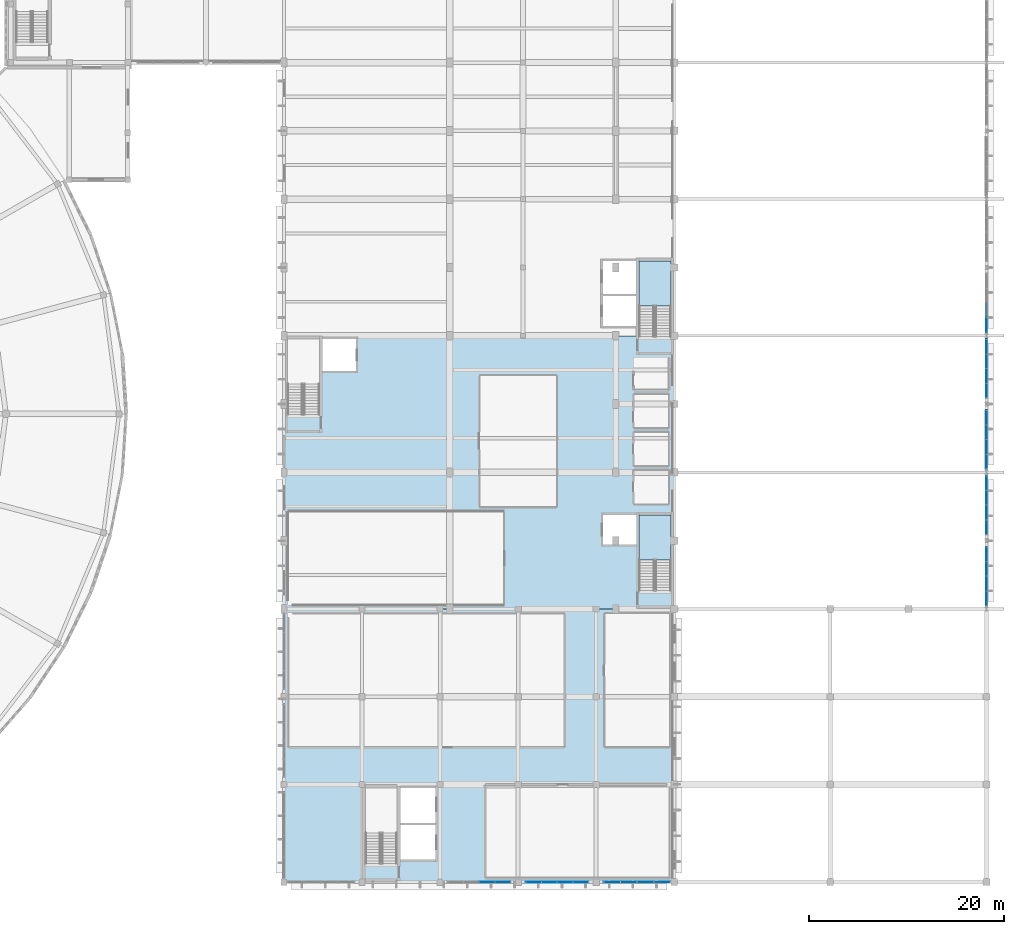
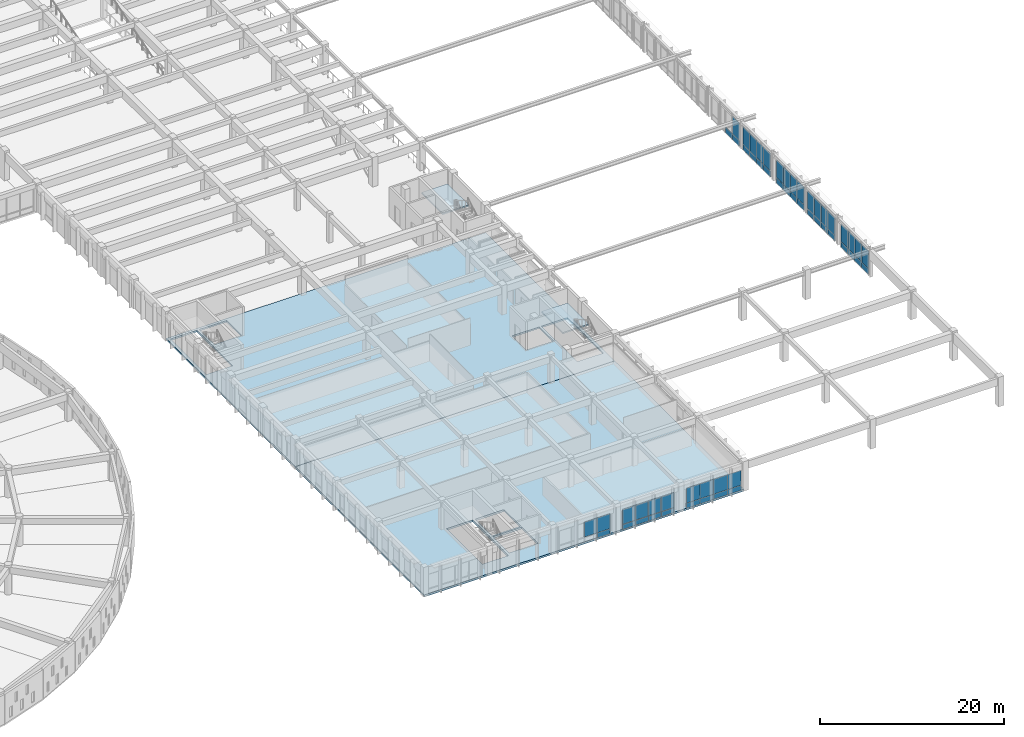
# One storey, part 50 of 98: 54 plates, 4 slabs, 10 elements without a shape of their own.
"""IFC4 building model written with IfcOpenShell, lengths in metres."""

from ifc_helpers import new_model, si_unit, direction, frame, origin, origin_2d, place, context, subcontext, project, spatial, polyline, rectangle, outline, extrude, material, layer, layer_set, type_object, element, aggregate, save


model = new_model("IFC4")

# Units and contexts
model_context = context("Model", 3, precision=1e-05, world=origin(), true_north=direction((0.0, 1.0)))
body_context = subcontext(model_context, "Body", "Model", "MODEL_VIEW")
ifc_project = project(units=[si_unit("LENGTHUNIT", "METRE"), si_unit("AREAUNIT", "SQUARE_METRE"), si_unit("VOLUMEUNIT", "CUBIC_METRE"), si_unit("PLANEANGLEUNIT", "RADIAN"), si_unit("MASSUNIT", "GRAM", prefix="KILO")], contexts=[model_context])

# Site, building, storey
site_placement = place(None, origin())
site = spatial("IfcSite", under=ifc_project, at=site_placement, CompositionType="ELEMENT")
building_placement = place(site_placement, origin())
building = spatial("IfcBuilding", under=site, at=building_placement, Name="Larkveld Mobility Hub", CompositionType="ELEMENT")
storey_placement = place(building_placement, frame((0.0, 0.0, 4.5)))
storey = spatial("IfcBuildingStorey", under=building, at=storey_placement, Name="L01", CompositionType="ELEMENT", Elevation=4.5)

# Curtain wall, plates
ifc_material_1 = material(Name="Anodised aluminium 6063-T6", Category="aluminium")
curtain_wall_type_1 = type_object("IfcCurtainWallType", Name="CW-SYS-04", PredefinedType="NOTDEFINED", material=ifc_material_1)
curtain_wall_1_placement = place(storey_placement, origin())
curtain_wall_1 = element("IfcCurtainWall", 1, at=curtain_wall_1_placement, inside=storey, type_object=curtain_wall_type_1, Name="Bus Hall Upper East Glazing B2 CW-052", PredefinedType="NOTDEFINED")
ifc_material_2 = material(Name="Low-E laminated solar-control double glazing", Category="glass")
ifc_layer_1 = layer(ifc_material_2, 0.028076171875, Name="Low-E laminated solar-control double glazing", Category="glass")
ifc_layer_set_1 = layer_set([ifc_layer_1], Name="Low-E laminated solar-control double glazing")
plate_type_1 = type_object("IfcPlateType", Name="CW-PNL-GL01", PredefinedType="CURTAIN_PANEL", material=ifc_layer_set_1)
plate_1_placement = place(storey_placement, frame((184.0, 43.113037109375, 0.75), z_axis=(0.0, 0.0, 1.0), x_axis=(0.0, 1.0, 0.0)))
plate_1 = element("IfcPlate", 2, at=plate_1_placement, type_object=plate_type_1, Name="CW04 panel 1", PredefinedType="CURTAIN_PANEL", context=body_context, shape_type="SweptSolid", body=[
    extrude(rectangle(XDim=1.47607421875, YDim=0.028076171875, at=origin_2d()), origin(), (0.0, 0.0, 1.0), 2.327880859375),
])
plate_2_placement = place(storey_placement, frame((184.0, 44.60888671875, 0.75), z_axis=(0.0, 0.0, 1.0), x_axis=(0.0, 1.0, 0.0)))
plate_2 = element("IfcPlate", 3, at=plate_2_placement, type_object=plate_type_1, Name="CW04 panel 2", PredefinedType="CURTAIN_PANEL", context=body_context, shape_type="SweptSolid", body=[
    extrude(rectangle(XDim=1.49609375, YDim=0.028076171875, at=origin_2d()), origin(), (0.0, 0.0, 1.0), 2.327880859375),
])
plate_3_placement = place(storey_placement, frame((184.0, 46.114990234375, 0.75), z_axis=(0.0, 0.0, 1.0), x_axis=(0.0, 1.0, 0.0)))
plate_3 = element("IfcPlate", 4, at=plate_3_placement, type_object=plate_type_1, Name="CW04 panel 3", PredefinedType="CURTAIN_PANEL", context=body_context, shape_type="SweptSolid", body=[
    extrude(rectangle(XDim=1.49609375, YDim=0.028076171875, at=origin_2d()), origin(), (0.0, 0.0, 1.0), 2.327880859375),
])
plate_4_placement = place(storey_placement, frame((184.0, 47.611083984375, 0.75), z_axis=(0.0, 0.0, 1.0), x_axis=(0.0, 1.0, 0.0)))
plate_4 = element("IfcPlate", 5, at=plate_4_placement, type_object=plate_type_1, Name="CW04 panel 4", PredefinedType="CURTAIN_PANEL", context=body_context, shape_type="SweptSolid", body=[
    extrude(rectangle(XDim=1.47607421875, YDim=0.028076171875, at=origin_2d()), origin(), (0.0, 0.0, 1.0), 2.327880859375),
])

curtain_wall_type_2 = type_object("IfcCurtainWallType", Name="CW-SYS-01", PredefinedType="NOTDEFINED", material=ifc_material_1)
curtain_wall_2_placement = place(storey_placement, origin())
curtain_wall_2 = element("IfcCurtainWall", 6, at=curtain_wall_2_placement, inside=storey, type_object=curtain_wall_type_2, Name="Service Centre South Curtain Wall L01 CW-097", PredefinedType="NOTDEFINED")
plate_5_placement = place(storey_placement, frame((145.635009765625, 0.0, 0.669921875), z_axis=(0.0, 0.0, 1.0), x_axis=(1.0, 0.0, 0.0)))
plate_5 = element("IfcPlate", 7, at=plate_5_placement, type_object=plate_type_1, Name="CW01 panel 1", PredefinedType="CURTAIN_PANEL", context=body_context, shape_type="SweptSolid", body=[
    extrude(rectangle(XDim=1.68896484375, YDim=0.028076171875, at=origin_2d()), origin(), (0.0, 0.0, 1.0), 1.97802734375),
])
plate_6_placement = place(storey_placement, frame((147.343994140625, 0.0, 0.669921875), z_axis=(0.0, 0.0, 1.0), x_axis=(1.0, 0.0, 0.0)))
plate_6 = element("IfcPlate", 8, at=plate_6_placement, type_object=plate_type_1, Name="CW01 panel 2", PredefinedType="CURTAIN_PANEL", context=body_context, shape_type="SweptSolid", body=[
    extrude(rectangle(XDim=1.708984375, YDim=0.028076171875, at=origin_2d()), origin(), (0.0, 0.0, 1.0), 1.97802734375),
])
plate_7_placement = place(storey_placement, frame((149.06201171875, 0.0, 0.669921875), z_axis=(0.0, 0.0, 1.0), x_axis=(1.0, 0.0, 0.0)))
plate_7 = element("IfcPlate", 9, at=plate_7_placement, type_object=plate_type_1, Name="CW01 panel 3", PredefinedType="CURTAIN_PANEL", context=body_context, shape_type="SweptSolid", body=[
    extrude(rectangle(XDim=1.708984375, YDim=0.028076171875, at=origin_2d()), origin(), (0.0, 0.0, 1.0), 1.97802734375),
])
plate_8_placement = place(storey_placement, frame((150.77001953125, 0.0, 0.669921875), z_axis=(0.0, 0.0, 1.0), x_axis=(1.0, 0.0, 0.0)))
plate_8 = element("IfcPlate", 10, at=plate_8_placement, type_object=plate_type_1, Name="CW01 panel 4", PredefinedType="CURTAIN_PANEL", context=body_context, shape_type="SweptSolid", body=[
    extrude(rectangle(XDim=1.68896484375, YDim=0.028076171875, at=origin_2d()), origin(), (0.0, 0.0, 1.0), 1.97802734375),
])

curtain_wall_type_3 = type_object("IfcCurtainWallType", Name="CW-SYS-02", PredefinedType="NOTDEFINED", material=ifc_material_1)
curtain_wall_3_placement = place(storey_placement, origin())
curtain_wall_3 = element("IfcCurtainWall", 11, at=curtain_wall_3_placement, inside=storey, type_object=curtain_wall_type_3, Name="Bus Hall Upper East Glazing B1 CW-050", PredefinedType="NOTDEFINED")
ifc_material_3 = material(Name="Acoustic solar-control laminated double glazing", Category="glass")
ifc_layer_2 = layer(ifc_material_3, 0.031982421875, Name="Acoustic solar-control laminated double glazing", Category="glass")
ifc_layer_set_2 = layer_set([ifc_layer_2], Name="Acoustic solar-control laminated double glazing")
plate_type_2 = type_object("IfcPlateType", Name="CW-PNL-GL02", PredefinedType="CURTAIN_PANEL", material=ifc_layer_set_2)
plate_9_placement = place(storey_placement, frame((184.0, 29.113037109375, 0.75), z_axis=(0.0, 0.0, 1.0), x_axis=(0.0, 1.0, 0.0)))
plate_9 = element("IfcPlate", 12, at=plate_9_placement, type_object=plate_type_2, Name="CW02 panel 1", PredefinedType="CURTAIN_PANEL", context=body_context, shape_type="SweptSolid", body=[
    extrude(rectangle(XDim=1.47607421875, YDim=0.031982421875, at=origin_2d()), origin(), (0.0, 0.0, 1.0), 2.327880859375),
])
plate_10_placement = place(storey_placement, frame((184.0, 30.60888671875, 0.75), z_axis=(0.0, 0.0, 1.0), x_axis=(0.0, 1.0, 0.0)))
plate_10 = element("IfcPlate", 13, at=plate_10_placement, type_object=plate_type_2, Name="CW02 panel 2", PredefinedType="CURTAIN_PANEL", context=body_context, shape_type="SweptSolid", body=[
    extrude(rectangle(XDim=1.49609375, YDim=0.031982421875, at=origin_2d()), origin(), (0.0, 0.0, 1.0), 2.327880859375),
])
plate_11_placement = place(storey_placement, frame((184.0, 32.114990234375, 0.75), z_axis=(0.0, 0.0, 1.0), x_axis=(0.0, 1.0, 0.0)))
plate_11 = element("IfcPlate", 14, at=plate_11_placement, type_object=plate_type_2, Name="CW02 panel 3", PredefinedType="CURTAIN_PANEL", context=body_context, shape_type="SweptSolid", body=[
    extrude(rectangle(XDim=1.49609375, YDim=0.031982421875, at=origin_2d()), origin(), (0.0, 0.0, 1.0), 2.327880859375),
])
plate_12_placement = place(storey_placement, frame((184.0, 33.611083984375, 0.75), z_axis=(0.0, 0.0, 1.0), x_axis=(0.0, 1.0, 0.0)))
plate_12 = element("IfcPlate", 15, at=plate_12_placement, type_object=plate_type_2, Name="CW02 panel 4", PredefinedType="CURTAIN_PANEL", context=body_context, shape_type="SweptSolid", body=[
    extrude(rectangle(XDim=1.47607421875, YDim=0.031982421875, at=origin_2d()), origin(), (0.0, 0.0, 1.0), 2.327880859375),
])

curtain_wall_type_4 = type_object("IfcCurtainWallType", Name="CW-SYS-05", PredefinedType="NOTDEFINED", material=ifc_material_1)
curtain_wall_4_placement = place(storey_placement, origin())
curtain_wall_4 = element("IfcCurtainWall", 16, at=curtain_wall_4_placement, inside=storey, type_object=curtain_wall_type_4, Name="Bus Hall Upper East Glazing B2 CW-053", PredefinedType="NOTDEFINED")
plate_13_placement = place(storey_placement, frame((184.0, 50.388916015625, 0.75), z_axis=(0.0, 0.0, 1.0), x_axis=(0.0, 1.0, 0.0)))
plate_13 = element("IfcPlate", 17, at=plate_13_placement, type_object=plate_type_2, Name="CW05 panel 1", PredefinedType="CURTAIN_PANEL", context=body_context, shape_type="SweptSolid", body=[
    extrude(rectangle(XDim=1.47607421875, YDim=0.031982421875, at=origin_2d()), origin(), (0.0, 0.0, 1.0), 2.327880859375),
])
plate_14_placement = place(storey_placement, frame((184.0, 51.885009765625, 0.75), z_axis=(0.0, 0.0, 1.0), x_axis=(0.0, 1.0, 0.0)))
plate_14 = element("IfcPlate", 18, at=plate_14_placement, type_object=plate_type_2, Name="CW05 panel 2", PredefinedType="CURTAIN_PANEL", context=body_context, shape_type="SweptSolid", body=[
    extrude(rectangle(XDim=1.49609375, YDim=0.031982421875, at=origin_2d()), origin(), (0.0, 0.0, 1.0), 2.327880859375),
])
plate_15_placement = place(storey_placement, frame((184.0, 53.39111328125, 0.75), z_axis=(0.0, 0.0, 1.0), x_axis=(0.0, 1.0, 0.0)))
plate_15 = element("IfcPlate", 19, at=plate_15_placement, type_object=plate_type_2, Name="CW05 panel 3", PredefinedType="CURTAIN_PANEL", context=body_context, shape_type="SweptSolid", body=[
    extrude(rectangle(XDim=1.49609375, YDim=0.031982421875, at=origin_2d()), origin(), (0.0, 0.0, 1.0), 2.327880859375),
])
plate_16_placement = place(storey_placement, frame((184.0, 54.886962890625, 0.75), z_axis=(0.0, 0.0, 1.0), x_axis=(0.0, 1.0, 0.0)))
plate_16 = element("IfcPlate", 20, at=plate_16_placement, type_object=plate_type_2, Name="CW05 panel 4", PredefinedType="CURTAIN_PANEL", context=body_context, shape_type="SweptSolid", body=[
    extrude(rectangle(XDim=1.47607421875, YDim=0.031982421875, at=origin_2d()), origin(), (0.0, 0.0, 1.0), 2.327880859375),
])

curtain_wall_type_5 = type_object("IfcCurtainWallType", Name="CW-SYS-11", PredefinedType="NOTDEFINED", material=ifc_material_1)
curtain_wall_5_placement = place(storey_placement, origin())
curtain_wall_5 = element("IfcCurtainWall", 21, at=curtain_wall_5_placement, inside=storey, type_object=curtain_wall_type_5, Name="Service Centre South Curtain Wall L01 CW-095", PredefinedType="NOTDEFINED")
plate_17_placement = place(storey_placement, frame((132.80810546875, 0.0, 0.669921875), z_axis=(0.0, 0.0, 1.0), x_axis=(1.0, 0.0, 0.0)))
plate_17 = element("IfcPlate", 22, at=plate_17_placement, type_object=plate_type_2, Name="CW11 panel 3", PredefinedType="CURTAIN_PANEL", context=body_context, shape_type="SweptSolid", body=[
    extrude(rectangle(XDim=1.60791015625, YDim=0.031982421875, at=origin_2d()), origin(), (0.0, 0.0, 1.0), 1.97802734375),
])
plate_18_placement = place(storey_placement, frame((134.416015625, 0.0, 0.669921875), z_axis=(0.0, 0.0, 1.0), x_axis=(1.0, 0.0, 0.0)))
plate_18 = element("IfcPlate", 23, at=plate_18_placement, type_object=plate_type_2, Name="CW11 panel 4", PredefinedType="CURTAIN_PANEL", context=body_context, shape_type="SweptSolid", body=[
    extrude(rectangle(XDim=1.587890625, YDim=0.031982421875, at=origin_2d()), origin(), (0.0, 0.0, 1.0), 1.97802734375),
])

curtain_wall_type_6 = type_object("IfcCurtainWallType", Name="CW-SYS-03", PredefinedType="NOTDEFINED", material=ifc_material_1)
curtain_wall_6_placement = place(storey_placement, origin())
curtain_wall_6 = element("IfcCurtainWall", 24, at=curtain_wall_6_placement, inside=storey, type_object=curtain_wall_type_6, Name="Bus Hall Upper East Glazing B1 CW-051", PredefinedType="NOTDEFINED")
ifc_material_4 = material(Name="Tinted safety double glazing", Category="glass")
ifc_layer_3 = layer(ifc_material_4, 0.035888671875, Name="Tinted safety double glazing", Category="glass")
ifc_layer_set_3 = layer_set([ifc_layer_3], Name="Tinted safety double glazing")
plate_type_3 = type_object("IfcPlateType", Name="CW-PNL-GL03", PredefinedType="CURTAIN_PANEL", material=ifc_layer_set_3)
plate_19_placement = place(storey_placement, frame((184.0, 36.388916015625, 0.75), z_axis=(0.0, 0.0, 1.0), x_axis=(0.0, 1.0, 0.0)))
plate_19 = element("IfcPlate", 25, at=plate_19_placement, type_object=plate_type_3, Name="CW03 panel 1", PredefinedType="CURTAIN_PANEL", context=body_context, shape_type="SweptSolid", body=[
    extrude(rectangle(XDim=1.47607421875, YDim=0.035888671875, at=origin_2d()), origin(), (0.0, 0.0, 1.0), 2.327880859375),
])
plate_20_placement = place(storey_placement, frame((184.0, 37.885009765625, 0.75), z_axis=(0.0, 0.0, 1.0), x_axis=(0.0, 1.0, 0.0)))
plate_20 = element("IfcPlate", 26, at=plate_20_placement, type_object=plate_type_3, Name="CW03 panel 2", PredefinedType="CURTAIN_PANEL", context=body_context, shape_type="SweptSolid", body=[
    extrude(rectangle(XDim=1.49609375, YDim=0.035888671875, at=origin_2d()), origin(), (0.0, 0.0, 1.0), 2.327880859375),
])
plate_21_placement = place(storey_placement, frame((184.0, 39.39111328125, 0.75), z_axis=(0.0, 0.0, 1.0), x_axis=(0.0, 1.0, 0.0)))
plate_21 = element("IfcPlate", 27, at=plate_21_placement, type_object=plate_type_3, Name="CW03 panel 3", PredefinedType="CURTAIN_PANEL", context=body_context, shape_type="SweptSolid", body=[
    extrude(rectangle(XDim=1.49609375, YDim=0.035888671875, at=origin_2d()), origin(), (0.0, 0.0, 1.0), 2.327880859375),
])
plate_22_placement = place(storey_placement, frame((184.0, 40.886962890625, 0.75), z_axis=(0.0, 0.0, 1.0), x_axis=(0.0, 1.0, 0.0)))
plate_22 = element("IfcPlate", 28, at=plate_22_placement, type_object=plate_type_3, Name="CW03 panel 4", PredefinedType="CURTAIN_PANEL", context=body_context, shape_type="SweptSolid", body=[
    extrude(rectangle(XDim=1.47607421875, YDim=0.035888671875, at=origin_2d()), origin(), (0.0, 0.0, 1.0), 2.327880859375),
])

# Curtain wall, plate
curtain_wall_type_7 = type_object("IfcCurtainWallType", Name="CW-SYS-06", PredefinedType="NOTDEFINED", material=ifc_material_1)
curtain_wall_7_placement = place(storey_placement, origin())
curtain_wall_7 = element("IfcCurtainWall", 29, at=curtain_wall_7_placement, inside=storey, type_object=curtain_wall_type_7, Name="Bus Hall Upper East Glazing B3 CW-054", PredefinedType="NOTDEFINED")
plate_23_placement = place(storey_placement, frame((184.0, 57.113037109375, 0.75), z_axis=(0.0, 0.0, 1.0), x_axis=(0.0, 1.0, 0.0)))
plate_23 = element("IfcPlate", 30, at=plate_23_placement, type_object=plate_type_3, Name="CW06 panel 1", PredefinedType="CURTAIN_PANEL", context=body_context, shape_type="SweptSolid", body=[
    extrude(rectangle(XDim=1.47607421875, YDim=0.035888671875, at=origin_2d()), origin(), (0.0, 0.0, 1.0), 2.327880859375),
])

# Curtain wall, plates
curtain_wall_type_8 = type_object("IfcCurtainWallType", Name="CW-SYS-12", PredefinedType="NOTDEFINED", material=ifc_material_1)
curtain_wall_8_placement = place(storey_placement, origin())
curtain_wall_8 = element("IfcCurtainWall", 31, at=curtain_wall_8_placement, inside=storey, type_object=curtain_wall_type_8, Name="Service Centre South Curtain Wall L01 CW-096", PredefinedType="NOTDEFINED")
plate_24_placement = place(storey_placement, frame((137.583984375, 0.0, 0.669921875), z_axis=(0.0, 0.0, 1.0), x_axis=(1.0, 0.0, 0.0)))
plate_24 = element("IfcPlate", 32, at=plate_24_placement, type_object=plate_type_3, Name="CW12 panel 1", PredefinedType="CURTAIN_PANEL", context=body_context, shape_type="SweptSolid", body=[
    extrude(rectangle(XDim=1.587890625, YDim=0.035888671875, at=origin_2d()), origin(), (0.0, 0.0, 1.0), 1.97802734375),
])
plate_25_placement = place(storey_placement, frame((139.19091796875, 0.0, 0.669921875), z_axis=(0.0, 0.0, 1.0), x_axis=(1.0, 0.0, 0.0)))
plate_25 = element("IfcPlate", 33, at=plate_25_placement, type_object=plate_type_3, Name="CW12 panel 2", PredefinedType="CURTAIN_PANEL", context=body_context, shape_type="SweptSolid", body=[
    extrude(rectangle(XDim=1.60791015625, YDim=0.035888671875, at=origin_2d()), origin(), (0.0, 0.0, 1.0), 1.97802734375),
])
plate_26_placement = place(storey_placement, frame((140.80810546875, 0.0, 0.669921875), z_axis=(0.0, 0.0, 1.0), x_axis=(1.0, 0.0, 0.0)))
plate_26 = element("IfcPlate", 34, at=plate_26_placement, type_object=plate_type_3, Name="CW12 panel 3", PredefinedType="CURTAIN_PANEL", context=body_context, shape_type="SweptSolid", body=[
    extrude(rectangle(XDim=1.60791015625, YDim=0.035888671875, at=origin_2d()), origin(), (0.0, 0.0, 1.0), 1.97802734375),
])
plate_27_placement = place(storey_placement, frame((142.416015625, 0.0, 0.669921875), z_axis=(0.0, 0.0, 1.0), x_axis=(1.0, 0.0, 0.0)))
plate_27 = element("IfcPlate", 35, at=plate_27_placement, type_object=plate_type_3, Name="CW12 panel 4", PredefinedType="CURTAIN_PANEL", context=body_context, shape_type="SweptSolid", body=[
    extrude(rectangle(XDim=1.587890625, YDim=0.035888671875, at=origin_2d()), origin(), (0.0, 0.0, 1.0), 1.97802734375),
])

# Plate
ifc_material_5 = material(Name="Insulated fluoropolymer aluminium spandrel", Category="aluminium")
ifc_layer_4 = layer(ifc_material_5, 0.06494140625, Name="Insulated fluoropolymer aluminium spandrel", Category="aluminium")
ifc_layer_set_4 = layer_set([ifc_layer_4], Name="Insulated fluoropolymer aluminium spandrel")
plate_type_4 = type_object("IfcPlateType", Name="CW-PNL-SP01", PredefinedType="CURTAIN_PANEL", material=ifc_layer_set_4)
plate_28_placement = place(storey_placement, frame((184.0, 36.388916015625, 0.0), z_axis=(0.0, 0.0, 1.0), x_axis=(0.0, 1.0, 0.0)))
plate_28 = element("IfcPlate", 36, at=plate_28_placement, type_object=plate_type_4, Name="CW03 spandrel 1", PredefinedType="CURTAIN_PANEL", context=body_context, shape_type="SweptSolid", body=[
    extrude(rectangle(XDim=1.47607421875, YDim=0.06494140625, at=origin_2d()), origin(), (0.0, 0.0, 1.0), 0.738037109375),
])

plate_29_placement = place(storey_placement, frame((184.0, 37.885009765625, 0.0), z_axis=(0.0, 0.0, 1.0), x_axis=(0.0, 1.0, 0.0)))
plate_29 = element("IfcPlate", 37, at=plate_29_placement, type_object=plate_type_4, Name="CW03 spandrel 2", PredefinedType="CURTAIN_PANEL", context=body_context, shape_type="SweptSolid", body=[
    extrude(rectangle(XDim=1.49609375, YDim=0.06494140625, at=origin_2d()), origin(), (0.0, 0.0, 1.0), 0.738037109375),
])

plate_30_placement = place(storey_placement, frame((184.0, 39.39111328125, 0.0), z_axis=(0.0, 0.0, 1.0), x_axis=(0.0, 1.0, 0.0)))
plate_30 = element("IfcPlate", 38, at=plate_30_placement, type_object=plate_type_4, Name="CW03 spandrel 3", PredefinedType="CURTAIN_PANEL", context=body_context, shape_type="SweptSolid", body=[
    extrude(rectangle(XDim=1.49609375, YDim=0.06494140625, at=origin_2d()), origin(), (0.0, 0.0, 1.0), 0.738037109375),
])

plate_31_placement = place(storey_placement, frame((184.0, 40.886962890625, 0.0), z_axis=(0.0, 0.0, 1.0), x_axis=(0.0, 1.0, 0.0)))
plate_31 = element("IfcPlate", 39, at=plate_31_placement, type_object=plate_type_4, Name="CW03 spandrel 4", PredefinedType="CURTAIN_PANEL", context=body_context, shape_type="SweptSolid", body=[
    extrude(rectangle(XDim=1.47607421875, YDim=0.06494140625, at=origin_2d()), origin(), (0.0, 0.0, 1.0), 0.738037109375),
])

aggregate(curtain_wall_6, [plate_28, plate_19, plate_29, plate_20, plate_30, plate_21, plate_31, plate_22])

plate_32_placement = place(storey_placement, frame((184.0, 50.388916015625, 0.0), z_axis=(0.0, 0.0, 1.0), x_axis=(0.0, 1.0, 0.0)))
plate_32 = element("IfcPlate", 40, at=plate_32_placement, type_object=plate_type_4, Name="CW05 spandrel 1", PredefinedType="CURTAIN_PANEL", context=body_context, shape_type="SweptSolid", body=[
    extrude(rectangle(XDim=1.47607421875, YDim=0.06494140625, at=origin_2d()), origin(), (0.0, 0.0, 1.0), 0.738037109375),
])

plate_33_placement = place(storey_placement, frame((184.0, 51.885009765625, 0.0), z_axis=(0.0, 0.0, 1.0), x_axis=(0.0, 1.0, 0.0)))
plate_33 = element("IfcPlate", 41, at=plate_33_placement, type_object=plate_type_4, Name="CW05 spandrel 2", PredefinedType="CURTAIN_PANEL", context=body_context, shape_type="SweptSolid", body=[
    extrude(rectangle(XDim=1.49609375, YDim=0.06494140625, at=origin_2d()), origin(), (0.0, 0.0, 1.0), 0.738037109375),
])

plate_34_placement = place(storey_placement, frame((184.0, 53.39111328125, 0.0), z_axis=(0.0, 0.0, 1.0), x_axis=(0.0, 1.0, 0.0)))
plate_34 = element("IfcPlate", 42, at=plate_34_placement, type_object=plate_type_4, Name="CW05 spandrel 3", PredefinedType="CURTAIN_PANEL", context=body_context, shape_type="SweptSolid", body=[
    extrude(rectangle(XDim=1.49609375, YDim=0.06494140625, at=origin_2d()), origin(), (0.0, 0.0, 1.0), 0.738037109375),
])

plate_35_placement = place(storey_placement, frame((184.0, 54.886962890625, 0.0), z_axis=(0.0, 0.0, 1.0), x_axis=(0.0, 1.0, 0.0)))
plate_35 = element("IfcPlate", 43, at=plate_35_placement, type_object=plate_type_4, Name="CW05 spandrel 4", PredefinedType="CURTAIN_PANEL", context=body_context, shape_type="SweptSolid", body=[
    extrude(rectangle(XDim=1.47607421875, YDim=0.06494140625, at=origin_2d()), origin(), (0.0, 0.0, 1.0), 0.738037109375),
])

aggregate(curtain_wall_4, [plate_32, plate_13, plate_33, plate_14, plate_34, plate_15, plate_35, plate_16])

plate_36_placement = place(storey_placement, frame((134.416015625, 0.0, 0.00048828125), z_axis=(0.0, 0.0, 1.0), x_axis=(1.0, 0.0, 0.0)))
plate_36 = element("IfcPlate", 44, at=plate_36_placement, type_object=plate_type_4, Name="CW11 spandrel 4", PredefinedType="CURTAIN_PANEL", context=body_context, shape_type="SweptSolid", body=[
    extrude(rectangle(XDim=1.587890625, YDim=0.06494140625, at=origin_2d()), origin(), (0.0, 0.0, 1.0), 0.656982421875),
])

aggregate(curtain_wall_5, [plate_17, plate_36, plate_18])

plate_37_placement = place(storey_placement, frame((145.635009765625, 0.0, 0.00048828125), z_axis=(0.0, 0.0, 1.0), x_axis=(1.0, 0.0, 0.0)))
plate_37 = element("IfcPlate", 45, at=plate_37_placement, type_object=plate_type_4, Name="CW01 spandrel 1", PredefinedType="CURTAIN_PANEL", context=body_context, shape_type="SweptSolid", body=[
    extrude(rectangle(XDim=1.68896484375, YDim=0.06494140625, at=origin_2d()), origin(), (0.0, 0.0, 1.0), 0.656982421875),
])

plate_38_placement = place(storey_placement, frame((147.343994140625, 0.0, 0.00048828125), z_axis=(0.0, 0.0, 1.0), x_axis=(1.0, 0.0, 0.0)))
plate_38 = element("IfcPlate", 46, at=plate_38_placement, type_object=plate_type_4, Name="CW01 spandrel 2", PredefinedType="CURTAIN_PANEL", context=body_context, shape_type="SweptSolid", body=[
    extrude(rectangle(XDim=1.708984375, YDim=0.06494140625, at=origin_2d()), origin(), (0.0, 0.0, 1.0), 0.656982421875),
])

plate_39_placement = place(storey_placement, frame((149.06201171875, 0.0, 0.00048828125), z_axis=(0.0, 0.0, 1.0), x_axis=(1.0, 0.0, 0.0)))
plate_39 = element("IfcPlate", 47, at=plate_39_placement, type_object=plate_type_4, Name="CW01 spandrel 3", PredefinedType="CURTAIN_PANEL", context=body_context, shape_type="SweptSolid", body=[
    extrude(rectangle(XDim=1.708984375, YDim=0.06494140625, at=origin_2d()), origin(), (0.0, 0.0, 1.0), 0.656982421875),
])

plate_40_placement = place(storey_placement, frame((150.77001953125, 0.0, 0.00048828125), z_axis=(0.0, 0.0, 1.0), x_axis=(1.0, 0.0, 0.0)))
plate_40 = element("IfcPlate", 48, at=plate_40_placement, type_object=plate_type_4, Name="CW01 spandrel 4", PredefinedType="CURTAIN_PANEL", context=body_context, shape_type="SweptSolid", body=[
    extrude(rectangle(XDim=1.68896484375, YDim=0.06494140625, at=origin_2d()), origin(), (0.0, 0.0, 1.0), 0.656982421875),
])

aggregate(curtain_wall_2, [plate_37, plate_5, plate_38, plate_6, plate_39, plate_7, plate_40, plate_8])

ifc_material_6 = material(Name="Insulated terracotta-toned aluminium spandrel", Category="masonry")
ifc_layer_5 = layer(ifc_material_6, 0.080078125, Name="Insulated terracotta-toned aluminium spandrel", Category="masonry")
ifc_layer_set_5 = layer_set([ifc_layer_5], Name="Insulated terracotta-toned aluminium spandrel")
plate_type_5 = type_object("IfcPlateType", Name="CW-PNL-SP02", PredefinedType="CURTAIN_PANEL", material=ifc_layer_set_5)
plate_41_placement = place(storey_placement, frame((184.0, 29.113037109375, 0.0), z_axis=(0.0, 0.0, 1.0), x_axis=(0.0, 1.0, 0.0)))
plate_41 = element("IfcPlate", 49, at=plate_41_placement, type_object=plate_type_5, Name="CW02 spandrel 1", PredefinedType="CURTAIN_PANEL", context=body_context, shape_type="SweptSolid", body=[
    extrude(rectangle(XDim=1.47607421875, YDim=0.080078125, at=origin_2d()), origin(), (0.0, 0.0, 1.0), 0.738037109375),
])

plate_42_placement = place(storey_placement, frame((184.0, 30.60888671875, 0.0), z_axis=(0.0, 0.0, 1.0), x_axis=(0.0, 1.0, 0.0)))
plate_42 = element("IfcPlate", 50, at=plate_42_placement, type_object=plate_type_5, Name="CW02 spandrel 2", PredefinedType="CURTAIN_PANEL", context=body_context, shape_type="SweptSolid", body=[
    extrude(rectangle(XDim=1.49609375, YDim=0.080078125, at=origin_2d()), origin(), (0.0, 0.0, 1.0), 0.738037109375),
])

plate_43_placement = place(storey_placement, frame((184.0, 32.114990234375, 0.0), z_axis=(0.0, 0.0, 1.0), x_axis=(0.0, 1.0, 0.0)))
plate_43 = element("IfcPlate", 51, at=plate_43_placement, type_object=plate_type_5, Name="CW02 spandrel 3", PredefinedType="CURTAIN_PANEL", context=body_context, shape_type="SweptSolid", body=[
    extrude(rectangle(XDim=1.49609375, YDim=0.080078125, at=origin_2d()), origin(), (0.0, 0.0, 1.0), 0.738037109375),
])

plate_44_placement = place(storey_placement, frame((184.0, 33.611083984375, 0.0), z_axis=(0.0, 0.0, 1.0), x_axis=(0.0, 1.0, 0.0)))
plate_44 = element("IfcPlate", 52, at=plate_44_placement, type_object=plate_type_5, Name="CW02 spandrel 4", PredefinedType="CURTAIN_PANEL", context=body_context, shape_type="SweptSolid", body=[
    extrude(rectangle(XDim=1.47607421875, YDim=0.080078125, at=origin_2d()), origin(), (0.0, 0.0, 1.0), 0.738037109375),
])

aggregate(curtain_wall_3, [plate_41, plate_9, plate_42, plate_10, plate_43, plate_11, plate_44, plate_12])

plate_45_placement = place(storey_placement, frame((184.0, 43.113037109375, 0.0), z_axis=(0.0, 0.0, 1.0), x_axis=(0.0, 1.0, 0.0)))
plate_45 = element("IfcPlate", 53, at=plate_45_placement, type_object=plate_type_5, Name="CW04 spandrel 1", PredefinedType="CURTAIN_PANEL", context=body_context, shape_type="SweptSolid", body=[
    extrude(rectangle(XDim=1.47607421875, YDim=0.080078125, at=origin_2d()), origin(), (0.0, 0.0, 1.0), 0.738037109375),
])

plate_46_placement = place(storey_placement, frame((184.0, 44.60888671875, 0.0), z_axis=(0.0, 0.0, 1.0), x_axis=(0.0, 1.0, 0.0)))
plate_46 = element("IfcPlate", 54, at=plate_46_placement, type_object=plate_type_5, Name="CW04 spandrel 2", PredefinedType="CURTAIN_PANEL", context=body_context, shape_type="SweptSolid", body=[
    extrude(rectangle(XDim=1.49609375, YDim=0.080078125, at=origin_2d()), origin(), (0.0, 0.0, 1.0), 0.738037109375),
])

plate_47_placement = place(storey_placement, frame((184.0, 46.114990234375, 0.0), z_axis=(0.0, 0.0, 1.0), x_axis=(0.0, 1.0, 0.0)))
plate_47 = element("IfcPlate", 55, at=plate_47_placement, type_object=plate_type_5, Name="CW04 spandrel 3", PredefinedType="CURTAIN_PANEL", context=body_context, shape_type="SweptSolid", body=[
    extrude(rectangle(XDim=1.49609375, YDim=0.080078125, at=origin_2d()), origin(), (0.0, 0.0, 1.0), 0.738037109375),
])

plate_48_placement = place(storey_placement, frame((184.0, 47.611083984375, 0.0), z_axis=(0.0, 0.0, 1.0), x_axis=(0.0, 1.0, 0.0)))
plate_48 = element("IfcPlate", 56, at=plate_48_placement, type_object=plate_type_5, Name="CW04 spandrel 4", PredefinedType="CURTAIN_PANEL", context=body_context, shape_type="SweptSolid", body=[
    extrude(rectangle(XDim=1.47607421875, YDim=0.080078125, at=origin_2d()), origin(), (0.0, 0.0, 1.0), 0.738037109375),
])

aggregate(curtain_wall_1, [plate_45, plate_1, plate_46, plate_2, plate_47, plate_3, plate_48, plate_4])

plate_49_placement = place(storey_placement, frame((184.0, 57.113037109375, 0.0), z_axis=(0.0, 0.0, 1.0), x_axis=(0.0, 1.0, 0.0)))
plate_49 = element("IfcPlate", 57, at=plate_49_placement, type_object=plate_type_5, Name="CW06 spandrel 1", PredefinedType="CURTAIN_PANEL", context=body_context, shape_type="SweptSolid", body=[
    extrude(rectangle(XDim=1.47607421875, YDim=0.080078125, at=origin_2d()), origin(), (0.0, 0.0, 1.0), 0.738037109375),
])

plate_50_placement = place(storey_placement, frame((184.0, 58.60888671875, 0.0), z_axis=(0.0, 0.0, 1.0), x_axis=(0.0, 1.0, 0.0)))
plate_50 = element("IfcPlate", 58, at=plate_50_placement, type_object=plate_type_5, Name="CW06 spandrel 2", PredefinedType="CURTAIN_PANEL", context=body_context, shape_type="SweptSolid", body=[
    extrude(rectangle(XDim=1.49609375, YDim=0.080078125, at=origin_2d()), origin(), (0.0, 0.0, 1.0), 0.738037109375),
])

aggregate(curtain_wall_7, [plate_49, plate_23, plate_50])

plate_51_placement = place(storey_placement, frame((137.583984375, 0.0, 0.00048828125), z_axis=(0.0, 0.0, 1.0), x_axis=(1.0, 0.0, 0.0)))
plate_51 = element("IfcPlate", 59, at=plate_51_placement, type_object=plate_type_5, Name="CW12 spandrel 1", PredefinedType="CURTAIN_PANEL", context=body_context, shape_type="SweptSolid", body=[
    extrude(rectangle(XDim=1.587890625, YDim=0.080078125, at=origin_2d()), origin(), (0.0, 0.0, 1.0), 0.656982421875),
])

plate_52_placement = place(storey_placement, frame((139.19091796875, 0.0, 0.00048828125), z_axis=(0.0, 0.0, 1.0), x_axis=(1.0, 0.0, 0.0)))
plate_52 = element("IfcPlate", 60, at=plate_52_placement, type_object=plate_type_5, Name="CW12 spandrel 2", PredefinedType="CURTAIN_PANEL", context=body_context, shape_type="SweptSolid", body=[
    extrude(rectangle(XDim=1.60791015625, YDim=0.080078125, at=origin_2d()), origin(), (0.0, 0.0, 1.0), 0.656982421875),
])

plate_53_placement = place(storey_placement, frame((140.80810546875, 0.0, 0.00048828125), z_axis=(0.0, 0.0, 1.0), x_axis=(1.0, 0.0, 0.0)))
plate_53 = element("IfcPlate", 61, at=plate_53_placement, type_object=plate_type_5, Name="CW12 spandrel 3", PredefinedType="CURTAIN_PANEL", context=body_context, shape_type="SweptSolid", body=[
    extrude(rectangle(XDim=1.60791015625, YDim=0.080078125, at=origin_2d()), origin(), (0.0, 0.0, 1.0), 0.656982421875),
])

plate_54_placement = place(storey_placement, frame((142.416015625, 0.0, 0.00048828125), z_axis=(0.0, 0.0, 1.0), x_axis=(1.0, 0.0, 0.0)))
plate_54 = element("IfcPlate", 62, at=plate_54_placement, type_object=plate_type_5, Name="CW12 spandrel 4", PredefinedType="CURTAIN_PANEL", context=body_context, shape_type="SweptSolid", body=[
    extrude(rectangle(XDim=1.587890625, YDim=0.080078125, at=origin_2d()), origin(), (0.0, 0.0, 1.0), 0.656982421875),
])

aggregate(curtain_wall_8, [plate_51, plate_24, plate_52, plate_25, plate_53, plate_26, plate_54, plate_27])

# Slabs
ifc_material_7 = material(Name="Concrete C40/50", Category="concrete")
ifc_layer_6 = layer(ifc_material_7, 0.215087890625, Name="Concrete C40/50", Category="concrete")
ifc_layer_set_6 = layer_set([ifc_layer_6], Name="Concrete C40/50")
slab_type_1 = type_object("IfcSlabType", Name="SL-DT-215", PredefinedType="FLOOR", material=ifc_layer_set_6)
slab_1_placement = place(storey_placement, frame((0.0, 0.0, -0.215087890625)))
element("IfcSlab", 63, at=slab_1_placement, inside=storey, type_object=slab_type_1, Name="EV Wing and Sports Pavilion Slab L01-136", PredefinedType="FLOOR", context=body_context, shape_type="SweptSolid", body=[
    extrude(outline(polyline([(112.0, 28.0), (152.0, 28.0), (152.0, 56.0), (112.0, 56.0), (112.0, 28.0)]), holes=[polyline([(148.39990234375, 29.89990234375), (148.39990234375, 37.64990234375), (151.64990234375, 37.64990234375), (151.64990234375, 29.89990234375), (148.39990234375, 29.89990234375)]), polyline([(144.719970703125, 34.60009765625), (144.719970703125, 37.64990234375), (148.1201171875, 37.64990234375), (148.1201171875, 34.60009765625), (144.719970703125, 34.60009765625)]), polyline([(112.35009765625, 47.919921875), (112.35009765625, 55.64990234375), (115.639892578125, 55.64990234375), (115.639892578125, 47.919921875), (112.35009765625, 47.919921875)]), polyline([(115.9599609375, 52.39990234375), (115.9599609375, 55.64990234375), (119.360107421875, 55.64990234375), (119.360107421875, 52.39990234375), (115.9599609375, 52.39990234375)])]), origin(), (0.0, 0.0, 1.0), 0.215087890625),
])
ifc_layer_7 = layer(ifc_material_7, 0.25, Name="Concrete C40/50", Category="concrete")
ifc_layer_set_7 = layer_set([ifc_layer_7], Name="Concrete C40/50")
slab_type_2 = type_object("IfcSlabType", Name="SL-FLR-250", PredefinedType="FLOOR", material=ifc_layer_set_7)
slab_2_placement = place(storey_placement, frame((0.0, 0.0, -0.25)))
element("IfcSlab", 64, at=slab_2_placement, inside=storey, type_object=slab_type_2, Name="Service Centre Slab L01-122", PredefinedType="FLOOR", context=body_context, shape_type="SweptSolid", body=[
    extrude(outline(polyline([(112.0, 0.0), (152.0, 0.0), (152.0, 28.0), (112.0, 28.0), (112.0, 0.0)]), holes=[polyline([(120.35009765625, 1.89990234375), (120.35009765625, 9.64990234375), (123.60009765625, 9.64990234375), (123.60009765625, 1.89990234375), (120.35009765625, 1.89990234375)]), polyline([(123.93994140625, 6.06005859375), (123.93994140625, 9.64990234375), (127.5400390625, 9.64990234375), (127.5400390625, 6.06005859375), (123.93994140625, 6.06005859375)]), polyline([(123.93994140625, 2.300048828125), (123.93994140625, 5.840087890625), (127.5400390625, 5.840087890625), (127.5400390625, 2.300048828125), (123.93994140625, 2.300048828125)])]), origin(), (0.0, 0.0, 1.0), 0.25),
])

# Stair, slab
stair_type_1 = type_object("IfcStairType", Name="ST-HT-01", PredefinedType="HALF_TURN_STAIR", material=ifc_material_7)
stair_1_placement = place(storey_placement, origin())
stair_1 = element("IfcStair", 65, at=stair_1_placement, inside=storey, type_object=stair_type_1, Name="L01 Protected Escape Stair ST1", PredefinedType="HALF_TURN_STAIR")
ifc_layer_8 = layer(ifc_material_7, 0.175048828125, Name="Concrete C40/50", Category="concrete")
ifc_layer_set_8 = layer_set([ifc_layer_8], Name="Concrete C40/50")
slab_type_3 = type_object("IfcSlabType", Name="SL-LND-01", PredefinedType="LANDING", material=ifc_layer_set_8)
slab_3_placement = place(storey_placement, frame((0.0, 0.0, 1.77490234375)))
slab_3 = element("IfcSlab", 66, at=slab_3_placement, type_object=slab_type_3, Name="ST1 landing 1", PredefinedType="LANDING", context=body_context, shape_type="SweptSolid", body=[
    extrude(outline(polyline([(151.64990234375, 33.034912109375), (151.64990234375, 37.64990234375), (148.39990234375, 37.64990234375), (148.39990234375, 33.034912109375), (151.64990234375, 33.034912109375)])), origin(), (0.0, 0.0, 1.0), 0.175048828125),
])
aggregate(stair_1, [slab_3])

stair_type_2 = type_object("IfcStairType", Name="ST-HT-02", PredefinedType="HALF_TURN_STAIR", material=ifc_material_7)
stair_2_placement = place(storey_placement, origin())
stair_2 = element("IfcStair", 67, at=stair_2_placement, inside=storey, type_object=stair_type_2, Name="L01 Protected Escape Stair ST2", PredefinedType="HALF_TURN_STAIR")
ifc_layer_9 = layer(ifc_material_7, 0.18505859375, Name="Concrete C40/50", Category="concrete")
ifc_layer_set_9 = layer_set([ifc_layer_9], Name="Concrete C40/50")
slab_type_4 = type_object("IfcSlabType", Name="SL-LND-02", PredefinedType="LANDING", material=ifc_layer_set_9)
slab_4_placement = place(storey_placement, frame((0.0, 0.0, 1.764892578125)))
slab_4 = element("IfcSlab", 68, at=slab_4_placement, type_object=slab_type_4, Name="ST2 landing 1", PredefinedType="LANDING", context=body_context, shape_type="SweptSolid", body=[
    extrude(outline(polyline([(151.64990234375, 59.044921875), (151.64990234375, 63.64990234375), (148.3798828125, 63.64990234375), (148.3798828125, 59.044921875), (151.64990234375, 59.044921875)])), origin(), (0.0, 0.0, 1.0), 0.18505859375),
])
aggregate(stair_2, [slab_4])

save(model, "model.ifc")
